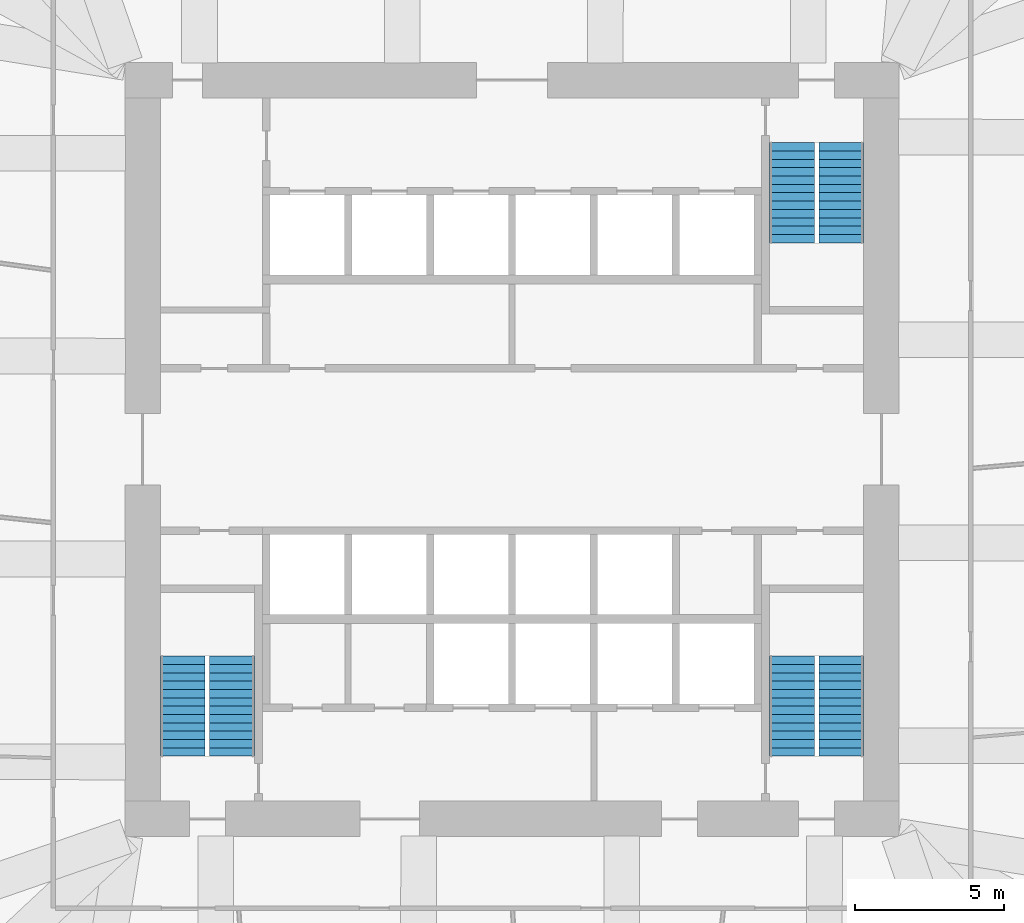
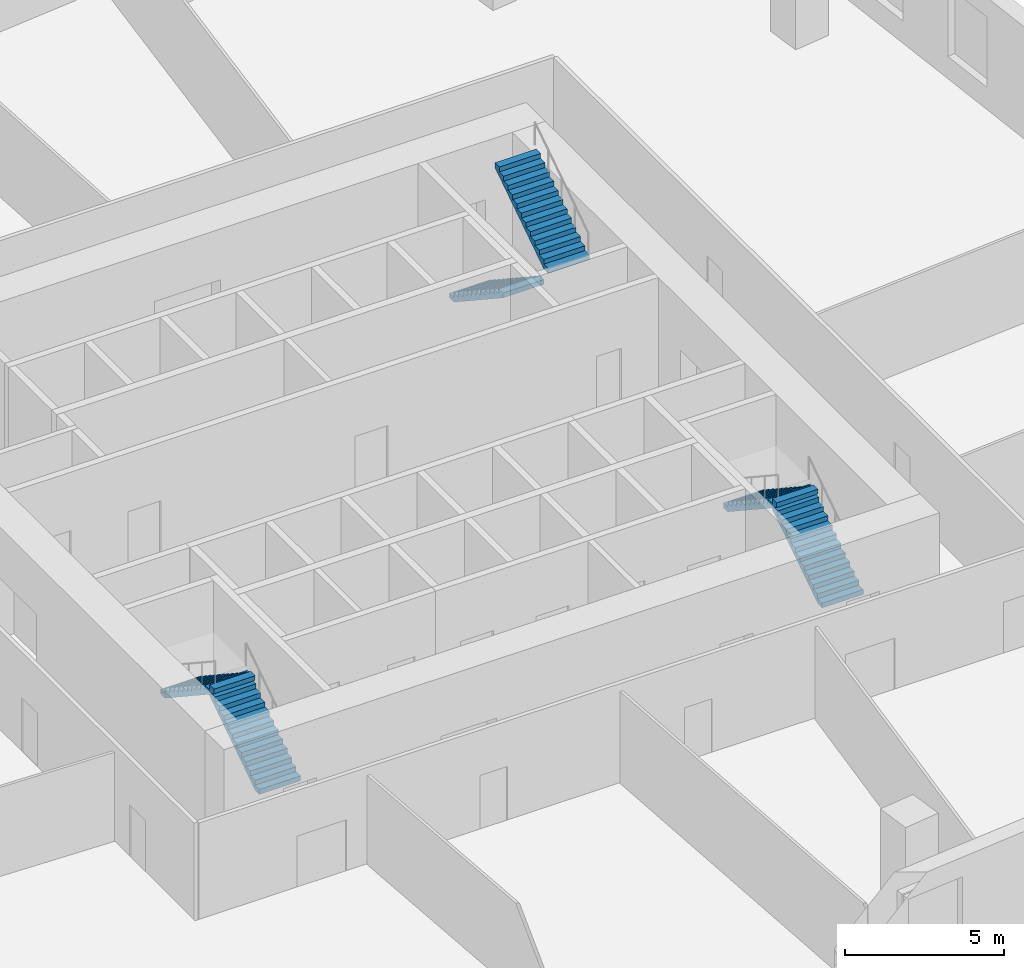
# One storey, part 8 of 10: 6 stair flights, 3 elements without a shape of their own.
"""IFC4 building model written with IfcOpenShell, lengths in metres."""

from ifc_helpers import new_model, si_unit, direction, frame, origin, place, context, subcontext, project, spatial, polyline, outline, extrude, material, type_object, element, aggregate, save


model = new_model("IFC4")

# Units and contexts
model_context = context("Model", 3, precision=1e-05, world=origin(), true_north=direction((0.0, 1.0)))
body_context = subcontext(model_context, "Body", "Model", "MODEL_VIEW")
ifc_project = project(units=[si_unit("LENGTHUNIT", "METRE"), si_unit("AREAUNIT", "SQUARE_METRE"), si_unit("VOLUMEUNIT", "CUBIC_METRE"), si_unit("PLANEANGLEUNIT", "RADIAN"), si_unit("MASSUNIT", "GRAM", prefix="KILO")], contexts=[model_context])

# Site, building, storey
site_placement = place(None, origin())
site = spatial("IfcSite", under=ifc_project, at=site_placement, CompositionType="ELEMENT")
building_placement = place(site_placement, origin())
building = spatial("IfcBuilding", under=site, at=building_placement, Name="Dilmun Exchange Tower", CompositionType="ELEMENT")
storey_placement = place(building_placement, frame((0.0, 0.0, 36.89990234375)))
storey = spatial("IfcBuildingStorey", under=building, at=storey_placement, Name="L08", CompositionType="ELEMENT", Elevation=36.89990234375)

# Stair, stair flights
ifc_material = material(Name="Concrete C40/50", Category="concrete")
stair_type = type_object("IfcStairType", Name="Exit stair 1500 half-turn", PredefinedType="HALF_TURN_STAIR", material=ifc_material)
stair_1_placement = place(storey_placement, origin())
stair_1 = element("IfcStair", 1, at=stair_1_placement, inside=storey, type_object=stair_type, Name="L08 Protected exit stair ST1", PredefinedType="HALF_TURN_STAIR")
stair_flight_type = type_object("IfcStairFlightType", Name="Exit stair flight 1500", PredefinedType="STRAIGHT", material=ifc_material)
stair_flight_1_placement = place(storey_placement, frame((9.39990234375, 10.300048828125, 0.0), z_axis=(0.0, 0.0, 1.0), x_axis=(0.0, -1.0, 0.0)))
stair_flight_1 = element("IfcStairFlight", 2, at=stair_flight_1_placement, type_object=stair_flight_type, Name="ST1 flight 1", NumberOfRisers=13, NumberOfTreads=12, PredefinedType="STRAIGHT", RiserHeight=0.184615385, TreadLength=0.28, context=body_context, shape_type="SweptSolid", body=[
    extrude(outline(polyline([(0.0, 0.0), (0.0, 0.1845703125), (0.280029296875, 0.1845703125), (0.280029296875, 0.369140625), (0.56005859375, 0.369140625), (0.56005859375, 0.553955078125), (0.840087890625, 0.553955078125), (0.840087890625, 0.738525390625), (1.1201171875, 0.738525390625), (1.1201171875, 0.923095703125), (1.39990234375, 0.923095703125), (1.39990234375, 1.107666015625), (1.679931640625, 1.107666015625), (1.679931640625, 1.292236328125), (1.9599609375, 1.292236328125), (1.9599609375, 1.476806640625), (2.239990234375, 1.476806640625), (2.239990234375, 1.66162109375), (2.52001953125, 1.66162109375), (2.52001953125, 1.84619140625), (2.800048828125, 1.84619140625), (2.800048828125, 2.03076171875), (3.080078125, 2.03076171875), (3.080078125, 2.21533203125), (3.360107421875, 2.21533203125), (3.360107421875, 2.39990234375), (3.360107421875, 2.035888671875), (0.272216796875, 0.0), (0.0, 0.0)])), frame((0.0, 0.75, 0.0), z_axis=(0.0, -1.0, 0.0), x_axis=(1.0, 0.0, 0.0)), (0.0, 0.0, 1.0), 1.5),
])
stair_flight_2_placement = place(storey_placement, frame((11.050048828125, 6.93994140625, 2.400146484375), z_axis=(0.0, 0.0, 1.0), x_axis=(0.0, 1.0, 0.0)))
stair_flight_2 = element("IfcStairFlight", 3, at=stair_flight_2_placement, type_object=stair_flight_type, Name="ST1 flight 2", NumberOfRisers=13, NumberOfTreads=12, PredefinedType="STRAIGHT", RiserHeight=0.184615385, TreadLength=0.28, context=body_context, shape_type="SweptSolid", body=[
    extrude(outline(polyline([(0.0, 0.0), (0.0, 0.1845703125), (0.280029296875, 0.1845703125), (0.280029296875, 0.369140625), (0.56005859375, 0.369140625), (0.56005859375, 0.553955078125), (0.840087890625, 0.553955078125), (0.840087890625, 0.738525390625), (1.1201171875, 0.738525390625), (1.1201171875, 0.923095703125), (1.39990234375, 0.923095703125), (1.39990234375, 1.107666015625), (1.679931640625, 1.107666015625), (1.679931640625, 1.292236328125), (1.9599609375, 1.292236328125), (1.9599609375, 1.476806640625), (2.239990234375, 1.476806640625), (2.239990234375, 1.66162109375), (2.52001953125, 1.66162109375), (2.52001953125, 1.84619140625), (2.800048828125, 1.84619140625), (2.800048828125, 2.03076171875), (3.080078125, 2.03076171875), (3.080078125, 2.21533203125), (3.360107421875, 2.21533203125), (3.360107421875, 2.39990234375), (3.360107421875, 2.035888671875), (0.272216796875, 0.0), (0.0, 0.0)])), frame((0.0, 0.75, 0.0), z_axis=(0.0, -1.0, 0.0), x_axis=(1.0, 0.0, 0.0)), (0.0, 0.0, 1.0), 1.5),
])
aggregate(stair_1, [stair_flight_1, stair_flight_2])

stair_2_placement = place(storey_placement, origin())
stair_2 = element("IfcStair", 4, at=stair_2_placement, inside=storey, type_object=stair_type, Name="L08 Protected exit stair ST2", PredefinedType="HALF_TURN_STAIR")
stair_flight_3_placement = place(storey_placement, frame((-9.39990234375, -10.300048828125, 0.0), z_axis=(0.0, 0.0, 1.0), x_axis=(0.0, 1.0, 0.0)))
stair_flight_3 = element("IfcStairFlight", 5, at=stair_flight_3_placement, type_object=stair_flight_type, Name="ST2 flight 1", NumberOfRisers=13, NumberOfTreads=12, PredefinedType="STRAIGHT", RiserHeight=0.184615385, TreadLength=0.28, context=body_context, shape_type="SweptSolid", body=[
    extrude(outline(polyline([(0.0, 0.0), (0.0, 0.1845703125), (0.280029296875, 0.1845703125), (0.280029296875, 0.369140625), (0.56005859375, 0.369140625), (0.56005859375, 0.553955078125), (0.840087890625, 0.553955078125), (0.840087890625, 0.738525390625), (1.1201171875, 0.738525390625), (1.1201171875, 0.923095703125), (1.39990234375, 0.923095703125), (1.39990234375, 1.107666015625), (1.679931640625, 1.107666015625), (1.679931640625, 1.292236328125), (1.9599609375, 1.292236328125), (1.9599609375, 1.476806640625), (2.239990234375, 1.476806640625), (2.239990234375, 1.66162109375), (2.52001953125, 1.66162109375), (2.52001953125, 1.84619140625), (2.800048828125, 1.84619140625), (2.800048828125, 2.03076171875), (3.080078125, 2.03076171875), (3.080078125, 2.21533203125), (3.360107421875, 2.21533203125), (3.360107421875, 2.39990234375), (3.360107421875, 2.035888671875), (0.272216796875, 0.0), (0.0, 0.0)])), frame((0.0, 0.75, 0.0), z_axis=(0.0, -1.0, 0.0), x_axis=(1.0, 0.0, 0.0)), (0.0, 0.0, 1.0), 1.5),
])
stair_flight_4_placement = place(storey_placement, frame((-11.050048828125, -6.93994140625, 2.400146484375), z_axis=(0.0, 0.0, 1.0), x_axis=(0.0, -1.0, 0.0)))
stair_flight_4 = element("IfcStairFlight", 6, at=stair_flight_4_placement, type_object=stair_flight_type, Name="ST2 flight 2", NumberOfRisers=13, NumberOfTreads=12, PredefinedType="STRAIGHT", RiserHeight=0.184615385, TreadLength=0.28, context=body_context, shape_type="SweptSolid", body=[
    extrude(outline(polyline([(0.0, 0.0), (0.0, 0.1845703125), (0.280029296875, 0.1845703125), (0.280029296875, 0.369140625), (0.56005859375, 0.369140625), (0.56005859375, 0.553955078125), (0.840087890625, 0.553955078125), (0.840087890625, 0.738525390625), (1.1201171875, 0.738525390625), (1.1201171875, 0.923095703125), (1.39990234375, 0.923095703125), (1.39990234375, 1.107666015625), (1.679931640625, 1.107666015625), (1.679931640625, 1.292236328125), (1.9599609375, 1.292236328125), (1.9599609375, 1.476806640625), (2.239990234375, 1.476806640625), (2.239990234375, 1.66162109375), (2.52001953125, 1.66162109375), (2.52001953125, 1.84619140625), (2.800048828125, 1.84619140625), (2.800048828125, 2.03076171875), (3.080078125, 2.03076171875), (3.080078125, 2.21533203125), (3.360107421875, 2.21533203125), (3.360107421875, 2.39990234375), (3.360107421875, 2.035888671875), (0.272216796875, 0.0), (0.0, 0.0)])), frame((0.0, 0.75, 0.0), z_axis=(0.0, -1.0, 0.0), x_axis=(1.0, 0.0, 0.0)), (0.0, 0.0, 1.0), 1.5),
])
aggregate(stair_2, [stair_flight_3, stair_flight_4])

stair_3_placement = place(storey_placement, origin())
stair_3 = element("IfcStair", 7, at=stair_3_placement, inside=storey, type_object=stair_type, Name="L08 Protected exit stair ST3", PredefinedType="HALF_TURN_STAIR")
stair_flight_5_placement = place(storey_placement, frame((11.050048828125, -10.300048828125, 0.0), z_axis=(0.0, 0.0, 1.0), x_axis=(0.0, 1.0, 0.0)))
stair_flight_5 = element("IfcStairFlight", 8, at=stair_flight_5_placement, type_object=stair_flight_type, Name="ST3 flight 1", NumberOfRisers=13, NumberOfTreads=12, PredefinedType="STRAIGHT", RiserHeight=0.184615385, TreadLength=0.28, context=body_context, shape_type="SweptSolid", body=[
    extrude(outline(polyline([(0.0, 0.0), (0.0, 0.1845703125), (0.280029296875, 0.1845703125), (0.280029296875, 0.369140625), (0.56005859375, 0.369140625), (0.56005859375, 0.553955078125), (0.840087890625, 0.553955078125), (0.840087890625, 0.738525390625), (1.1201171875, 0.738525390625), (1.1201171875, 0.923095703125), (1.39990234375, 0.923095703125), (1.39990234375, 1.107666015625), (1.679931640625, 1.107666015625), (1.679931640625, 1.292236328125), (1.9599609375, 1.292236328125), (1.9599609375, 1.476806640625), (2.239990234375, 1.476806640625), (2.239990234375, 1.66162109375), (2.52001953125, 1.66162109375), (2.52001953125, 1.84619140625), (2.800048828125, 1.84619140625), (2.800048828125, 2.03076171875), (3.080078125, 2.03076171875), (3.080078125, 2.21533203125), (3.360107421875, 2.21533203125), (3.360107421875, 2.39990234375), (3.360107421875, 2.035888671875), (0.272216796875, 0.0), (0.0, 0.0)])), frame((0.0, 0.75, 0.0), z_axis=(0.0, -1.0, 0.0), x_axis=(1.0, 0.0, 0.0)), (0.0, 0.0, 1.0), 1.5),
])
stair_flight_6_placement = place(storey_placement, frame((9.39990234375, -6.93994140625, 2.400146484375), z_axis=(0.0, 0.0, 1.0), x_axis=(0.0, -1.0, 0.0)))
stair_flight_6 = element("IfcStairFlight", 9, at=stair_flight_6_placement, type_object=stair_flight_type, Name="ST3 flight 2", NumberOfRisers=13, NumberOfTreads=12, PredefinedType="STRAIGHT", RiserHeight=0.184615385, TreadLength=0.28, context=body_context, shape_type="SweptSolid", body=[
    extrude(outline(polyline([(0.0, 0.0), (0.0, 0.1845703125), (0.280029296875, 0.1845703125), (0.280029296875, 0.369140625), (0.56005859375, 0.369140625), (0.56005859375, 0.553955078125), (0.840087890625, 0.553955078125), (0.840087890625, 0.738525390625), (1.1201171875, 0.738525390625), (1.1201171875, 0.923095703125), (1.39990234375, 0.923095703125), (1.39990234375, 1.107666015625), (1.679931640625, 1.107666015625), (1.679931640625, 1.292236328125), (1.9599609375, 1.292236328125), (1.9599609375, 1.476806640625), (2.239990234375, 1.476806640625), (2.239990234375, 1.66162109375), (2.52001953125, 1.66162109375), (2.52001953125, 1.84619140625), (2.800048828125, 1.84619140625), (2.800048828125, 2.03076171875), (3.080078125, 2.03076171875), (3.080078125, 2.21533203125), (3.360107421875, 2.21533203125), (3.360107421875, 2.39990234375), (3.360107421875, 2.035888671875), (0.272216796875, 0.0), (0.0, 0.0)])), frame((0.0, 0.75, 0.0), z_axis=(0.0, -1.0, 0.0), x_axis=(1.0, 0.0, 0.0)), (0.0, 0.0, 1.0), 1.5),
])
aggregate(stair_3, [stair_flight_5, stair_flight_6])

save(model, "model.ifc")
